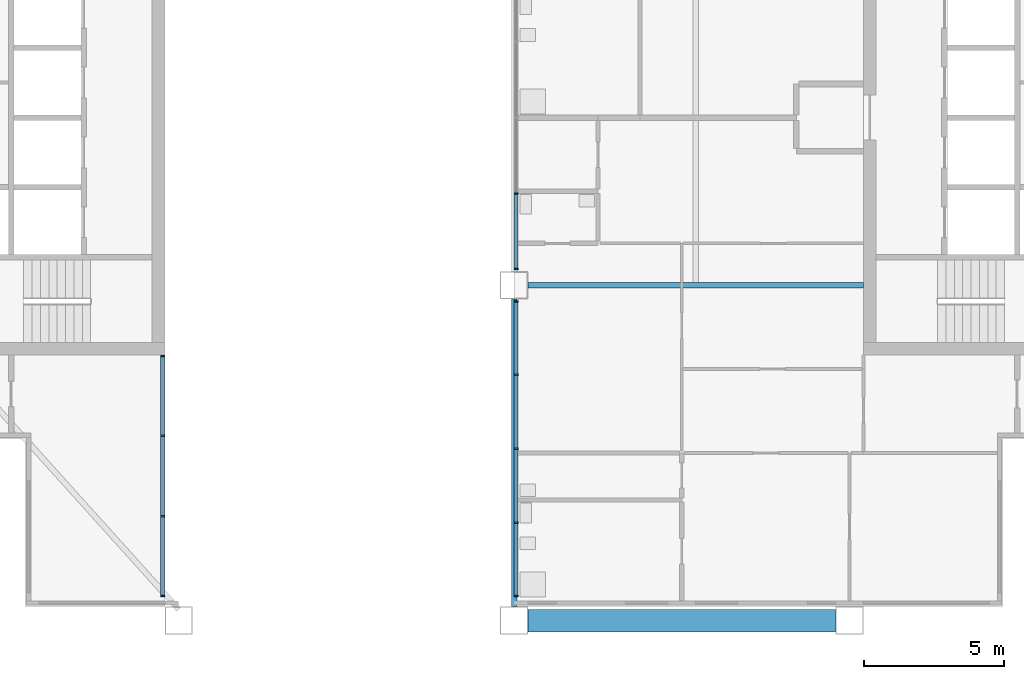
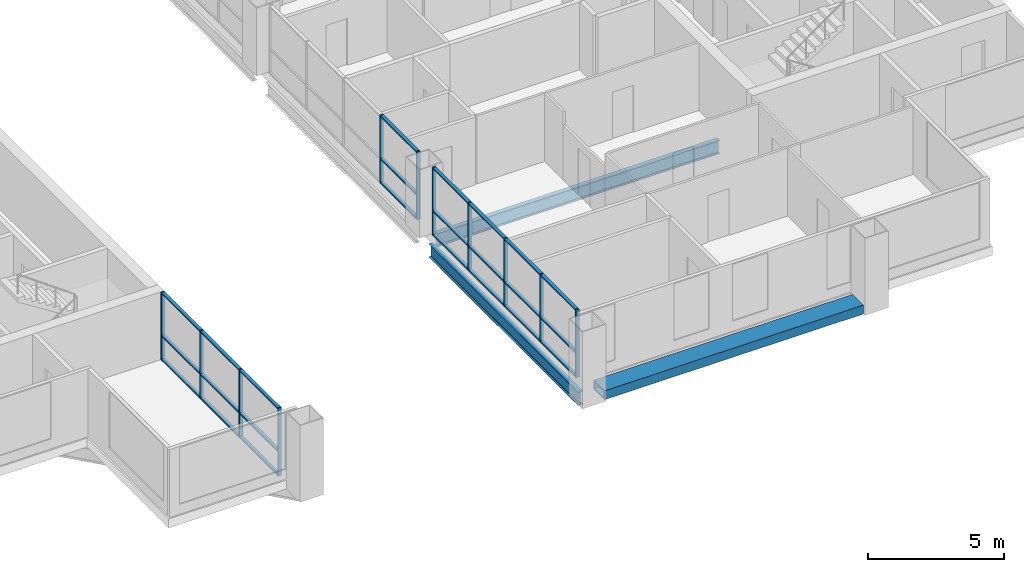
# One storey, part 2 of 13: 35 members, 3 beams, 3 elements without a shape of their own.
"""IFC4 building model written with IfcOpenShell, lengths in metres."""

import ifcopenshell
import ifcopenshell.guid

model = None  # the IFC model being written
_history = None  # IfcOwnerHistory: only IFC2X3 demands one
_inside = {}  # id of a spatial element -> (the spatial element, [elements in it])
_under = {}  # id of a project, library or spatial element -> (it, [spatial elements below it])
_declared = {}  # id of a project -> (the project, [libraries it declares])
_typed = {}  # id of a type object -> (the type object, [elements of that type])
_made_of = {}  # id of a material, layer set ... -> (it, [elements and type objects made of it])


def new_model(schema):
    """Start an empty IFC model of exactly this schema.

    Asked for "IFC4X3", IfcOpenShell would pick the latest addendum, in which some entities
    have other attributes; the version numbers below select the first issue.
    IFC2X3 requires an IfcOwnerHistory on every rooted entity: one is made here for all.
    """
    global model, _history
    if schema == "IFC4X3":
        model = ifcopenshell.file(schema_version=(4, 3, 0, 0))
    else:
        model = ifcopenshell.file(schema=schema)
    _inside.clear()
    _under.clear()
    _declared.clear()
    _typed.clear()
    _made_of.clear()
    _history = None
    if model.schema == "IFC2X3":
        org = make("IfcOrganization", Name="unknown")
        user = make(
            "IfcPersonAndOrganization",
            ThePerson=make("IfcPerson", FamilyName="unknown"),
            TheOrganization=org,
        )
        app = make(
            "IfcApplication",
            ApplicationDeveloper=org,
            Version="unknown",
            ApplicationFullName="unknown",
            ApplicationIdentifier="unknown",
        )
        _history = make(
            "IfcOwnerHistory",
            OwningUser=user,
            OwningApplication=app,
            ChangeAction="ADDED",
            CreationDate=0,
        )
    return model


def make(cls, **values):
    """One entity of the class cls with the attributes given. An attribute that is None is left unset."""
    return model.create_entity(
        cls, **{name: value for name, value in values.items() if value is not None}
    )


def rooted(cls, **values):
    """An entity with a GlobalId (a new one), such as an element, a storey or a relation."""
    return make(cls, GlobalId=ifcopenshell.guid.new(), OwnerHistory=_history, **values)


def si_unit(unit_type, name, prefix=None):
    """IfcSIUnit, for example si_unit("LENGTHUNIT", "METRE", prefix="MILLI")."""
    return make("IfcSIUnit", UnitType=unit_type, Prefix=prefix, Name=name)


def assignment(units):
    """IfcUnitAssignment: the units of a project."""
    return None if units is None else make("IfcUnitAssignment", Units=units)


def point(xyz):
    """IfcCartesianPoint."""
    return None if xyz is None else make("IfcCartesianPoint", Coordinates=xyz)


def direction(xyz):
    """IfcDirection."""
    return None if xyz is None else make("IfcDirection", DirectionRatios=xyz)


def frame(location, z_axis=None, x_axis=None):
    """IfcAxis2Placement3D, a coordinate frame: its origin and axes. An axis left out is left unset."""
    return make(
        "IfcAxis2Placement3D",
        Location=point(location),
        Axis=direction(z_axis),
        RefDirection=direction(x_axis),
    )


def frame_2d(location, x_axis=None):
    """IfcAxis2Placement2D, a coordinate frame in the plane: its origin and x axis."""
    return make(
        "IfcAxis2Placement2D", Location=point(location), RefDirection=direction(x_axis)
    )


def origin():
    """The frame at (0, 0, 0) with its axes left unset."""
    return frame((0.0, 0.0, 0.0))


def origin_2d():
    """The frame at (0, 0) in the plane with its x axis left unset."""
    return frame_2d((0.0, 0.0))


def place(relative_to, where):
    """IfcLocalPlacement: puts the frame where relative to a parent placement (None: the world)."""
    return make(
        "IfcLocalPlacement", PlacementRelTo=relative_to, RelativePlacement=where
    )


def context(
    kind, dimensions, precision=None, world=None, true_north=None, identifier=None
):
    """IfcGeometricRepresentationContext, for example the 3D "Model" context."""
    return make(
        "IfcGeometricRepresentationContext",
        ContextIdentifier=identifier,
        ContextType=kind,
        CoordinateSpaceDimension=dimensions,
        Precision=precision,
        WorldCoordinateSystem=world,
        TrueNorth=true_north,
    )


def subcontext(parent, identifier, kind, view, scale=None):
    """IfcGeometricRepresentationSubContext, for example "Body" below "Model"."""
    return make(
        "IfcGeometricRepresentationSubContext",
        ContextIdentifier=identifier,
        ContextType=kind,
        ParentContext=parent,
        TargetScale=scale,
        TargetView=view,
    )


def project(units=None, contexts=None):
    """IfcProject with its units and contexts."""
    return rooted(
        "IfcProject",
        Name="project",
        RepresentationContexts=contexts,
        UnitsInContext=assignment(units),
    )


def spatial(cls, under=None, at=None, **own):
    """A site, building, storey or space (cls), placed at a placement, below another one or the project."""
    s = rooted(cls, ObjectPlacement=at, **own)
    if under is not None:
        _under.setdefault(under.id(), (under, []))[1].append(s)
    return s


def profile(cls, at=None, kind="AREA", **sizes):
    """A parametric profile (cls). Its sizes go by their IFC names, for example OverallWidth=200.0."""
    return make(cls, ProfileType=kind, Position=at, **sizes)


def rectangle(**sizes):
    """IfcRectangleProfileDef."""
    return profile("IfcRectangleProfileDef", **sizes)


def hollow_rectangle(**sizes):
    """IfcRectangleHollowProfileDef."""
    return profile("IfcRectangleHollowProfileDef", **sizes)


def i_section(**sizes):
    """IfcIShapeProfileDef."""
    return profile("IfcIShapeProfileDef", **sizes)


def extrude(swept, where, along, depth):
    """IfcExtrudedAreaSolid: the profile swept, set in the frame where, extruded along a direction by depth."""
    return make(
        "IfcExtrudedAreaSolid",
        SweptArea=swept,
        Position=where,
        ExtrudedDirection=direction(along),
        Depth=depth,
    )


def shape(context_of_items, identifier, shape_type, items):
    """IfcShapeRepresentation: the items that make up one representation, for example the "Body"."""
    return make(
        "IfcShapeRepresentation",
        ContextOfItems=context_of_items,
        RepresentationIdentifier=identifier,
        RepresentationType=shape_type,
        Items=items,
    )


def material(Name=None, Category=None):
    """IfcMaterial."""
    return make("IfcMaterial", Name=Name, Category=Category)


def material_profile(
    of_material, cross_section, Name=None, Category=None, Priority=None
):
    """IfcMaterialProfile: a cross section and its material."""
    return make(
        "IfcMaterialProfile",
        Name=Name,
        Material=of_material,
        Profile=cross_section,
        Priority=Priority,
        Category=Category,
    )


def profile_set(profiles, Name=None, composite=None):
    """IfcMaterialProfileSet."""
    return make(
        "IfcMaterialProfileSet",
        Name=Name,
        MaterialProfiles=profiles,
        CompositeProfile=composite,
    )


def made_of(thing, what):
    """Note that an element or type object is made of a material, layer set ...; save() writes the relation."""
    if what is not None:
        _made_of.setdefault(what.id(), (what, []))[1].append(thing)
    return thing


def type_object(cls, material=None, **own):
    """A type object (cls), such as IfcWallType, which elements share."""
    return made_of(rooted(cls, **own), material)


def element(
    cls,
    number,
    at=None,
    inside=None,
    cuts=None,
    type_object=None,
    material=None,
    context=None,
    identifier="Body",
    shape_type=None,
    held_by="IfcProductDefinitionShape",
    body=None,
    shapes=None,
    **own,
):
    """One element of the class cls, such as IfcWall. Its Tag is "e" and its number.

    at: its placement. inside: the storey or other place that contains it. cuts: it is an
    opening in that element (IfcRelVoidsElement). A single representation is given by context,
    identifier, shape_type and body (its items); several are given by shapes. held_by: the class
    of the entity that holds the representations. save() writes the other relations.
    """
    e = rooted(cls, Tag="e%d" % number, ObjectPlacement=at, **own)
    if body is not None:
        shapes = [shape(context, identifier, shape_type, body)]
    if shapes is not None:
        e.Representation = make(held_by, Representations=shapes)
    if inside is not None:
        _inside.setdefault(inside.id(), (inside, []))[1].append(e)
    if cuts is not None:
        rooted(
            "IfcRelVoidsElement", RelatingBuildingElement=cuts, RelatedOpeningElement=e
        )
    if type_object is not None:
        _typed.setdefault(type_object.id(), (type_object, []))[1].append(e)
    return made_of(e, material)


def aggregate(whole, parts):
    """IfcRelAggregates: a whole, such as a stair, and the parts it consists of."""
    return rooted("IfcRelAggregates", RelatingObject=whole, RelatedObjects=parts)


def save(model, path):
    """Write the relations noted so far, then the file.

    IfcRelAggregates (storeys below a building ...), IfcRelContainedInSpatialStructure (elements
    in a storey), IfcRelDefinesByType, IfcRelAssociatesMaterial and IfcRelDeclares: one each for
    every whole, place, type object, material and project.
    """
    for whole, parts in _under.values():
        aggregate(whole, parts)
    for where, things in _inside.values():
        rooted(
            "IfcRelContainedInSpatialStructure",
            RelatedElements=things,
            RelatingStructure=where,
        )
    for kind, things in _typed.values():
        rooted("IfcRelDefinesByType", RelatedObjects=things, RelatingType=kind)
    for what, things in _made_of.values():
        rooted("IfcRelAssociatesMaterial", RelatedObjects=things, RelatingMaterial=what)
    for by, libraries in _declared.values():
        rooted("IfcRelDeclares", RelatingContext=by, RelatedDefinitions=libraries)
    model.write(path)


model = new_model("IFC4")

# Units and contexts
model_context = context("Model", 3, precision=1e-05, world=origin(), true_north=direction((0.0, 1.0)))
body_context = subcontext(model_context, "Body", "Model", "MODEL_VIEW")
ifc_project = project(units=[si_unit("LENGTHUNIT", "METRE"), si_unit("AREAUNIT", "SQUARE_METRE"), si_unit("VOLUMEUNIT", "CUBIC_METRE"), si_unit("PLANEANGLEUNIT", "RADIAN"), si_unit("MASSUNIT", "GRAM", prefix="KILO")], contexts=[model_context])

# Site, building, storey
site_placement = place(None, origin())
site = spatial("IfcSite", under=ifc_project, at=site_placement, CompositionType="ELEMENT")
building_placement = place(site_placement, origin())
building = spatial("IfcBuilding", under=site, at=building_placement, Name="Kitamizu Gate Tower and Museum", CompositionType="ELEMENT")
storey_placement = place(building_placement, frame((0.0, 0.0, 252.449951171875)))
storey = spatial("IfcBuildingStorey", under=building, at=storey_placement, Name="L68", CompositionType="ELEMENT", Elevation=252.449951171875)

# Beams
ifc_material_1 = material(Name="Steel SM490A bronze coated", Category="steel")
ifc_material_profile_1 = material_profile(ifc_material_1, hollow_rectangle(XDim=0.800048828125, YDim=0.39990234375, WallThickness=0.0400390625, at=origin_2d()), Name="BOX 800x400x40")
ifc_profile_set_1 = profile_set([ifc_material_profile_1], Name="Steel SM490A bronze coated")
beam_type_1 = type_object("IfcBeamType", Name="Exoskeleton spandrel beam SB1 BOX 800x400x40", PredefinedType="SPANDREL", material=ifc_profile_set_1)
beam_1_placement = place(storey_placement, frame((36.5, 12.0, -0.199951171875), z_axis=(1.0, 0.0, 0.0), x_axis=(0.0, 1.0, 0.0)))
element("IfcBeam", 1, at=beam_1_placement, inside=storey, type_object=beam_type_1, Name="Exoskeleton spandrel beam south 36 L68", PredefinedType="SPANDREL", context=body_context, shape_type="SweptSolid", body=[
    extrude(hollow_rectangle(XDim=0.800048828125, YDim=0.39990234375, WallThickness=0.0400390625, at=origin_2d()), origin(), (0.0, 0.0, 1.0), 11.0),
])
ifc_material_2 = material(Name="Steel SM490A", Category="steel")
ifc_material_profile_2 = material_profile(ifc_material_2, i_section(OverallWidth=0.199951171875, OverallDepth=0.60009765625, WebThickness=0.010986328125, FlangeThickness=0.01708984375, FilletRadius=0.02197265625, at=origin_2d()), Name="H-600x200x11x17")
ifc_profile_set_2 = profile_set([ifc_material_profile_2], Name="Steel SM490A")
beam_type_2 = type_object("IfcBeamType", Name="Floor girder FG1 H 600x200x11x17", PredefinedType="BEAM", material=ifc_profile_set_2)
beam_2_placement = place(storey_placement, frame((36.0, 12.5, -0.699951171875), z_axis=(0.0, 1.0, 0.0), x_axis=(-1.0, 0.0, 0.0)))
element("IfcBeam", 2, at=beam_2_placement, inside=storey, type_object=beam_type_2, Name="Floor girder FG1 x36 L68", PredefinedType="BEAM", context=body_context, shape_type="SweptSolid", body=[
    extrude(i_section(OverallWidth=0.199951171875, OverallDepth=0.60009765625, WebThickness=0.010986328125, FlangeThickness=0.01708984375, FilletRadius=0.02197265625, at=origin_2d()), origin(), (0.0, 0.0, 1.0), 11.0),
])
beam_3_placement = place(storey_placement, frame((36.5, 24.0, -0.699951171875), z_axis=(1.0, 0.0, 0.0), x_axis=(0.0, 1.0, 0.0)))
element("IfcBeam", 3, at=beam_3_placement, inside=storey, type_object=beam_type_2, Name="Floor girder FG1 y24 L68", PredefinedType="BEAM", context=body_context, shape_type="SweptSolid", body=[
    extrude(i_section(OverallWidth=0.199951171875, OverallDepth=0.60009765625, WebThickness=0.010986328125, FlangeThickness=0.01708984375, FilletRadius=0.02197265625, at=origin_2d()), origin(), (0.0, 0.0, 1.0), 12.0),
])

# Curtain wall, members
ifc_material_3 = material(Name="Bronze anodised aluminium frame, tinted triple glazing", Category="aluminium")
curtain_wall_type = type_object("IfcCurtainWallType", Name="CURTAIN WALL TYPE C SKY AMENITY", PredefinedType="NOTDEFINED", material=ifc_material_3)
curtain_wall_1_placement = place(storey_placement, origin())
curtain_wall_1 = element("IfcCurtainWall", 4, at=curtain_wall_1_placement, inside=storey, type_object=curtain_wall_type, Name="Curtain wall CW-C portal W L68", PredefinedType="NOTDEFINED")
ifc_material_4 = material(Name="Bronze anodised aluminium", Category="aluminium")
ifc_material_profile_3 = material_profile(ifc_material_4, rectangle(XDim=0.06005859375, YDim=0.14990234375, at=origin_2d()), Name="AL 60X150")
ifc_profile_set_3 = profile_set([ifc_material_profile_3], Name="Bronze anodised aluminium")
member_type_1 = type_object("IfcMemberType", Name="MULLION 60 X 150 TYPE C", PredefinedType="MULLION", material=ifc_profile_set_3)
member_1_placement = place(storey_placement, frame((23.425048828125, 12.8798828125, 0.0), z_axis=(0.0, 0.0, 1.0), x_axis=(0.0, 1.0, 0.0)))
member_1 = element("IfcMember", 5, at=member_1_placement, type_object=member_type_1, Name="CW-C mullion 1", PredefinedType="MULLION", context=body_context, shape_type="SweptSolid", body=[
    extrude(rectangle(XDim=0.06005859375, YDim=0.14990234375, at=origin_2d()), origin(), (0.0, 0.0, 1.0), 3.050048828125),
])
member_2_placement = place(storey_placement, frame((23.425048828125, 15.7333984375, 0.0), z_axis=(0.0, 0.0, 1.0), x_axis=(0.0, 1.0, 0.0)))
member_2 = element("IfcMember", 6, at=member_2_placement, type_object=member_type_1, Name="CW-C mullion 2", PredefinedType="MULLION", context=body_context, shape_type="SweptSolid", body=[
    extrude(rectangle(XDim=0.06005859375, YDim=0.14990234375, at=origin_2d()), origin(), (0.0, 0.0, 1.0), 3.050048828125),
])
member_3_placement = place(storey_placement, frame((23.425048828125, 18.61669921875, 0.0), z_axis=(0.0, 0.0, 1.0), x_axis=(0.0, 1.0, 0.0)))
member_3 = element("IfcMember", 7, at=member_3_placement, type_object=member_type_1, Name="CW-C mullion 3", PredefinedType="MULLION", context=body_context, shape_type="SweptSolid", body=[
    extrude(rectangle(XDim=0.06005859375, YDim=0.14990234375, at=origin_2d()), origin(), (0.0, 0.0, 1.0), 3.050048828125),
])
member_4_placement = place(storey_placement, frame((23.425048828125, 21.469970703125, 0.0), z_axis=(0.0, 0.0, 1.0), x_axis=(0.0, 1.0, 0.0)))
member_4 = element("IfcMember", 8, at=member_4_placement, type_object=member_type_1, Name="CW-C mullion 4", PredefinedType="MULLION", context=body_context, shape_type="SweptSolid", body=[
    extrude(rectangle(XDim=0.06005859375, YDim=0.14990234375, at=origin_2d()), origin(), (0.0, 0.0, 1.0), 3.050048828125),
])

curtain_wall_2_placement = place(storey_placement, origin())
curtain_wall_2 = element("IfcCurtainWall", 9, at=curtain_wall_2_placement, inside=storey, type_object=curtain_wall_type, Name="Curtain wall CW-C portal E L68", PredefinedType="NOTDEFINED")
member_5_placement = place(storey_placement, frame((36.074951171875, 12.8798828125, 0.0), z_axis=(0.0, 0.0, 1.0), x_axis=(0.0, 1.0, 0.0)))
member_5 = element("IfcMember", 10, at=member_5_placement, type_object=member_type_1, Name="CW-C mullion 1", PredefinedType="MULLION", context=body_context, shape_type="SweptSolid", body=[
    extrude(rectangle(XDim=0.06005859375, YDim=0.14990234375, at=origin_2d()), origin(), (0.0, 0.0, 1.0), 3.050048828125),
])
member_6_placement = place(storey_placement, frame((36.074951171875, 15.498779296875, 0.0), z_axis=(0.0, 0.0, 1.0), x_axis=(0.0, 1.0, 0.0)))
member_6 = element("IfcMember", 11, at=member_6_placement, type_object=member_type_1, Name="CW-C mullion 2", PredefinedType="MULLION", context=body_context, shape_type="SweptSolid", body=[
    extrude(rectangle(XDim=0.06005859375, YDim=0.14990234375, at=origin_2d()), origin(), (0.0, 0.0, 1.0), 3.050048828125),
])
member_7_placement = place(storey_placement, frame((36.074951171875, 18.1474609375, 0.0), z_axis=(0.0, 0.0, 1.0), x_axis=(0.0, 1.0, 0.0)))
member_7 = element("IfcMember", 12, at=member_7_placement, type_object=member_type_1, Name="CW-C mullion 3", PredefinedType="MULLION", context=body_context, shape_type="SweptSolid", body=[
    extrude(rectangle(XDim=0.06005859375, YDim=0.14990234375, at=origin_2d()), origin(), (0.0, 0.0, 1.0), 3.050048828125),
])
member_8_placement = place(storey_placement, frame((36.074951171875, 20.796142578125, 0.0), z_axis=(0.0, 0.0, 1.0), x_axis=(0.0, 1.0, 0.0)))
member_8 = element("IfcMember", 13, at=member_8_placement, type_object=member_type_1, Name="CW-C mullion 4", PredefinedType="MULLION", context=body_context, shape_type="SweptSolid", body=[
    extrude(rectangle(XDim=0.06005859375, YDim=0.14990234375, at=origin_2d()), origin(), (0.0, 0.0, 1.0), 3.050048828125),
])
member_9_placement = place(storey_placement, frame((36.074951171875, 23.4150390625, 0.0), z_axis=(0.0, 0.0, 1.0), x_axis=(0.0, 1.0, 0.0)))
member_9 = element("IfcMember", 14, at=member_9_placement, type_object=member_type_1, Name="CW-C mullion 5", PredefinedType="MULLION", context=body_context, shape_type="SweptSolid", body=[
    extrude(rectangle(XDim=0.06005859375, YDim=0.14990234375, at=origin_2d()), origin(), (0.0, 0.0, 1.0), 3.050048828125),
])

curtain_wall_3_placement = place(storey_placement, origin())
curtain_wall_3 = element("IfcCurtainWall", 15, at=curtain_wall_3_placement, inside=storey, type_object=curtain_wall_type, Name="Curtain wall CW-C portal E L68", PredefinedType="NOTDEFINED")
member_10_placement = place(storey_placement, frame((36.074951171875, 24.5849609375, 0.0), z_axis=(0.0, 0.0, 1.0), x_axis=(0.0, 1.0, 0.0)))
member_10 = element("IfcMember", 16, at=member_10_placement, type_object=member_type_1, Name="CW-C mullion 1", PredefinedType="MULLION", context=body_context, shape_type="SweptSolid", body=[
    extrude(rectangle(XDim=0.06005859375, YDim=0.14990234375, at=origin_2d()), origin(), (0.0, 0.0, 1.0), 3.050048828125),
])
member_11_placement = place(storey_placement, frame((36.074951171875, 27.277587890625, 0.0), z_axis=(0.0, 0.0, 1.0), x_axis=(0.0, 1.0, 0.0)))
member_11 = element("IfcMember", 17, at=member_11_placement, type_object=member_type_1, Name="CW-C mullion 2", PredefinedType="MULLION", context=body_context, shape_type="SweptSolid", body=[
    extrude(rectangle(XDim=0.06005859375, YDim=0.14990234375, at=origin_2d()), origin(), (0.0, 0.0, 1.0), 3.050048828125),
])

# Member
ifc_material_5 = material(Name="Bronze anodised aluminium", Category="aluminium")
ifc_material_profile_4 = material_profile(ifc_material_5, rectangle(XDim=0.139892578125, YDim=0.06005859375, at=origin_2d()), Name="AL 60X140")
ifc_profile_set_4 = profile_set([ifc_material_profile_4], Name="Bronze anodised aluminium")
member_type_2 = type_object("IfcMemberType", Name="TRANSOM 60 X 140 TYPE C", PredefinedType="USERDEFINED", material=ifc_profile_set_4)
member_12_placement = place(storey_placement, frame((23.425048828125, 12.909912109375, 0.030029296875), z_axis=(0.0, 1.0, 0.0), x_axis=(-1.0, 0.0, 0.0)))
member_12 = element("IfcMember", 18, at=member_12_placement, type_object=member_type_2, Name="CW-C transom 1.1", ObjectType="TRANSOM", PredefinedType="USERDEFINED", context=body_context, shape_type="SweptSolid", body=[
    extrude(rectangle(XDim=0.139892578125, YDim=0.06005859375, at=origin_2d()), origin(), (0.0, 0.0, 1.0), 2.79345703125),
])

member_13_placement = place(storey_placement, frame((23.425048828125, 12.909912109375, 1.10009765625), z_axis=(0.0, 1.0, 0.0), x_axis=(-1.0, 0.0, 0.0)))
member_13 = element("IfcMember", 19, at=member_13_placement, type_object=member_type_2, Name="CW-C transom 1.2", ObjectType="TRANSOM", PredefinedType="USERDEFINED", context=body_context, shape_type="SweptSolid", body=[
    extrude(rectangle(XDim=0.139892578125, YDim=0.06005859375, at=origin_2d()), origin(), (0.0, 0.0, 1.0), 2.79345703125),
])

member_14_placement = place(storey_placement, frame((23.425048828125, 12.909912109375, 3.02001953125), z_axis=(0.0, 1.0, 0.0), x_axis=(-1.0, 0.0, 0.0)))
member_14 = element("IfcMember", 20, at=member_14_placement, type_object=member_type_2, Name="CW-C transom 1.3", ObjectType="TRANSOM", PredefinedType="USERDEFINED", context=body_context, shape_type="SweptSolid", body=[
    extrude(rectangle(XDim=0.139892578125, YDim=0.06005859375, at=origin_2d()), origin(), (0.0, 0.0, 1.0), 2.79345703125),
])

member_15_placement = place(storey_placement, frame((23.425048828125, 15.763427734375, 0.030029296875), z_axis=(0.0, 1.0, 0.0), x_axis=(-1.0, 0.0, 0.0)))
member_15 = element("IfcMember", 21, at=member_15_placement, type_object=member_type_2, Name="CW-C transom 2.1", ObjectType="TRANSOM", PredefinedType="USERDEFINED", context=body_context, shape_type="SweptSolid", body=[
    extrude(rectangle(XDim=0.139892578125, YDim=0.06005859375, at=origin_2d()), origin(), (0.0, 0.0, 1.0), 2.8232421875),
])

member_16_placement = place(storey_placement, frame((23.425048828125, 15.763427734375, 1.10009765625), z_axis=(0.0, 1.0, 0.0), x_axis=(-1.0, 0.0, 0.0)))
member_16 = element("IfcMember", 22, at=member_16_placement, type_object=member_type_2, Name="CW-C transom 2.2", ObjectType="TRANSOM", PredefinedType="USERDEFINED", context=body_context, shape_type="SweptSolid", body=[
    extrude(rectangle(XDim=0.139892578125, YDim=0.06005859375, at=origin_2d()), origin(), (0.0, 0.0, 1.0), 2.8232421875),
])

member_17_placement = place(storey_placement, frame((23.425048828125, 15.763427734375, 3.02001953125), z_axis=(0.0, 1.0, 0.0), x_axis=(-1.0, 0.0, 0.0)))
member_17 = element("IfcMember", 23, at=member_17_placement, type_object=member_type_2, Name="CW-C transom 2.3", ObjectType="TRANSOM", PredefinedType="USERDEFINED", context=body_context, shape_type="SweptSolid", body=[
    extrude(rectangle(XDim=0.139892578125, YDim=0.06005859375, at=origin_2d()), origin(), (0.0, 0.0, 1.0), 2.8232421875),
])

member_18_placement = place(storey_placement, frame((23.425048828125, 18.646728515625, 0.030029296875), z_axis=(0.0, 1.0, 0.0), x_axis=(-1.0, 0.0, 0.0)))
member_18 = element("IfcMember", 24, at=member_18_placement, type_object=member_type_2, Name="CW-C transom 3.1", ObjectType="TRANSOM", PredefinedType="USERDEFINED", context=body_context, shape_type="SweptSolid", body=[
    extrude(rectangle(XDim=0.139892578125, YDim=0.06005859375, at=origin_2d()), origin(), (0.0, 0.0, 1.0), 2.793212890625),
])

member_19_placement = place(storey_placement, frame((23.425048828125, 18.646728515625, 1.10009765625), z_axis=(0.0, 1.0, 0.0), x_axis=(-1.0, 0.0, 0.0)))
member_19 = element("IfcMember", 25, at=member_19_placement, type_object=member_type_2, Name="CW-C transom 3.2", ObjectType="TRANSOM", PredefinedType="USERDEFINED", context=body_context, shape_type="SweptSolid", body=[
    extrude(rectangle(XDim=0.139892578125, YDim=0.06005859375, at=origin_2d()), origin(), (0.0, 0.0, 1.0), 2.793212890625),
])

member_20_placement = place(storey_placement, frame((23.425048828125, 18.646728515625, 3.02001953125), z_axis=(0.0, 1.0, 0.0), x_axis=(-1.0, 0.0, 0.0)))
member_20 = element("IfcMember", 26, at=member_20_placement, type_object=member_type_2, Name="CW-C transom 3.3", ObjectType="TRANSOM", PredefinedType="USERDEFINED", context=body_context, shape_type="SweptSolid", body=[
    extrude(rectangle(XDim=0.139892578125, YDim=0.06005859375, at=origin_2d()), origin(), (0.0, 0.0, 1.0), 2.793212890625),
])

aggregate(curtain_wall_1, [member_1, member_2, member_3, member_4, member_12, member_13, member_14, member_15, member_16, member_17, member_18, member_19, member_20])

member_21_placement = place(storey_placement, frame((36.074951171875, 12.909912109375, 0.030029296875), z_axis=(0.0, 1.0, 0.0), x_axis=(-1.0, 0.0, 0.0)))
member_21 = element("IfcMember", 27, at=member_21_placement, type_object=member_type_2, Name="CW-C transom 1.1", ObjectType="TRANSOM", PredefinedType="USERDEFINED", context=body_context, shape_type="SweptSolid", body=[
    extrude(rectangle(XDim=0.139892578125, YDim=0.06005859375, at=origin_2d()), origin(), (0.0, 0.0, 1.0), 2.558837890625),
])

member_22_placement = place(storey_placement, frame((36.074951171875, 12.909912109375, 1.10009765625), z_axis=(0.0, 1.0, 0.0), x_axis=(-1.0, 0.0, 0.0)))
member_22 = element("IfcMember", 28, at=member_22_placement, type_object=member_type_2, Name="CW-C transom 1.2", ObjectType="TRANSOM", PredefinedType="USERDEFINED", context=body_context, shape_type="SweptSolid", body=[
    extrude(rectangle(XDim=0.139892578125, YDim=0.06005859375, at=origin_2d()), origin(), (0.0, 0.0, 1.0), 2.558837890625),
])

member_23_placement = place(storey_placement, frame((36.074951171875, 12.909912109375, 3.02001953125), z_axis=(0.0, 1.0, 0.0), x_axis=(-1.0, 0.0, 0.0)))
member_23 = element("IfcMember", 29, at=member_23_placement, type_object=member_type_2, Name="CW-C transom 1.3", ObjectType="TRANSOM", PredefinedType="USERDEFINED", context=body_context, shape_type="SweptSolid", body=[
    extrude(rectangle(XDim=0.139892578125, YDim=0.06005859375, at=origin_2d()), origin(), (0.0, 0.0, 1.0), 2.558837890625),
])

member_24_placement = place(storey_placement, frame((36.074951171875, 15.52880859375, 0.030029296875), z_axis=(0.0, 1.0, 0.0), x_axis=(-1.0, 0.0, 0.0)))
member_24 = element("IfcMember", 30, at=member_24_placement, type_object=member_type_2, Name="CW-C transom 2.1", ObjectType="TRANSOM", PredefinedType="USERDEFINED", context=body_context, shape_type="SweptSolid", body=[
    extrude(rectangle(XDim=0.139892578125, YDim=0.06005859375, at=origin_2d()), origin(), (0.0, 0.0, 1.0), 2.588623046875),
])

member_25_placement = place(storey_placement, frame((36.074951171875, 15.52880859375, 1.10009765625), z_axis=(0.0, 1.0, 0.0), x_axis=(-1.0, 0.0, 0.0)))
member_25 = element("IfcMember", 31, at=member_25_placement, type_object=member_type_2, Name="CW-C transom 2.2", ObjectType="TRANSOM", PredefinedType="USERDEFINED", context=body_context, shape_type="SweptSolid", body=[
    extrude(rectangle(XDim=0.139892578125, YDim=0.06005859375, at=origin_2d()), origin(), (0.0, 0.0, 1.0), 2.588623046875),
])

member_26_placement = place(storey_placement, frame((36.074951171875, 15.52880859375, 3.02001953125), z_axis=(0.0, 1.0, 0.0), x_axis=(-1.0, 0.0, 0.0)))
member_26 = element("IfcMember", 32, at=member_26_placement, type_object=member_type_2, Name="CW-C transom 2.3", ObjectType="TRANSOM", PredefinedType="USERDEFINED", context=body_context, shape_type="SweptSolid", body=[
    extrude(rectangle(XDim=0.139892578125, YDim=0.06005859375, at=origin_2d()), origin(), (0.0, 0.0, 1.0), 2.588623046875),
])

member_27_placement = place(storey_placement, frame((36.074951171875, 18.177490234375, 0.030029296875), z_axis=(0.0, 1.0, 0.0), x_axis=(-1.0, 0.0, 0.0)))
member_27 = element("IfcMember", 33, at=member_27_placement, type_object=member_type_2, Name="CW-C transom 3.1", ObjectType="TRANSOM", PredefinedType="USERDEFINED", context=body_context, shape_type="SweptSolid", body=[
    extrude(rectangle(XDim=0.139892578125, YDim=0.06005859375, at=origin_2d()), origin(), (0.0, 0.0, 1.0), 2.5888671875),
])

member_28_placement = place(storey_placement, frame((36.074951171875, 18.177490234375, 1.10009765625), z_axis=(0.0, 1.0, 0.0), x_axis=(-1.0, 0.0, 0.0)))
member_28 = element("IfcMember", 34, at=member_28_placement, type_object=member_type_2, Name="CW-C transom 3.2", ObjectType="TRANSOM", PredefinedType="USERDEFINED", context=body_context, shape_type="SweptSolid", body=[
    extrude(rectangle(XDim=0.139892578125, YDim=0.06005859375, at=origin_2d()), origin(), (0.0, 0.0, 1.0), 2.5888671875),
])

member_29_placement = place(storey_placement, frame((36.074951171875, 18.177490234375, 3.02001953125), z_axis=(0.0, 1.0, 0.0), x_axis=(-1.0, 0.0, 0.0)))
member_29 = element("IfcMember", 35, at=member_29_placement, type_object=member_type_2, Name="CW-C transom 3.3", ObjectType="TRANSOM", PredefinedType="USERDEFINED", context=body_context, shape_type="SweptSolid", body=[
    extrude(rectangle(XDim=0.139892578125, YDim=0.06005859375, at=origin_2d()), origin(), (0.0, 0.0, 1.0), 2.5888671875),
])

member_30_placement = place(storey_placement, frame((36.074951171875, 20.826171875, 0.030029296875), z_axis=(0.0, 1.0, 0.0), x_axis=(-1.0, 0.0, 0.0)))
member_30 = element("IfcMember", 36, at=member_30_placement, type_object=member_type_2, Name="CW-C transom 4.1", ObjectType="TRANSOM", PredefinedType="USERDEFINED", context=body_context, shape_type="SweptSolid", body=[
    extrude(rectangle(XDim=0.139892578125, YDim=0.06005859375, at=origin_2d()), origin(), (0.0, 0.0, 1.0), 2.558837890625),
])

member_31_placement = place(storey_placement, frame((36.074951171875, 20.826171875, 1.10009765625), z_axis=(0.0, 1.0, 0.0), x_axis=(-1.0, 0.0, 0.0)))
member_31 = element("IfcMember", 37, at=member_31_placement, type_object=member_type_2, Name="CW-C transom 4.2", ObjectType="TRANSOM", PredefinedType="USERDEFINED", context=body_context, shape_type="SweptSolid", body=[
    extrude(rectangle(XDim=0.139892578125, YDim=0.06005859375, at=origin_2d()), origin(), (0.0, 0.0, 1.0), 2.558837890625),
])

member_32_placement = place(storey_placement, frame((36.074951171875, 20.826171875, 3.02001953125), z_axis=(0.0, 1.0, 0.0), x_axis=(-1.0, 0.0, 0.0)))
member_32 = element("IfcMember", 38, at=member_32_placement, type_object=member_type_2, Name="CW-C transom 4.3", ObjectType="TRANSOM", PredefinedType="USERDEFINED", context=body_context, shape_type="SweptSolid", body=[
    extrude(rectangle(XDim=0.139892578125, YDim=0.06005859375, at=origin_2d()), origin(), (0.0, 0.0, 1.0), 2.558837890625),
])

aggregate(curtain_wall_2, [member_5, member_6, member_7, member_8, member_9, member_21, member_22, member_23, member_24, member_25, member_26, member_27, member_28, member_29, member_30, member_31, member_32])

member_33_placement = place(storey_placement, frame((36.074951171875, 24.614990234375, 0.030029296875), z_axis=(0.0, 1.0, 0.0), x_axis=(-1.0, 0.0, 0.0)))
member_33 = element("IfcMember", 39, at=member_33_placement, type_object=member_type_2, Name="CW-C transom 1.1", ObjectType="TRANSOM", PredefinedType="USERDEFINED", context=body_context, shape_type="SweptSolid", body=[
    extrude(rectangle(XDim=0.139892578125, YDim=0.06005859375, at=origin_2d()), origin(), (0.0, 0.0, 1.0), 2.632568359375),
])

member_34_placement = place(storey_placement, frame((36.074951171875, 24.614990234375, 1.10009765625), z_axis=(0.0, 1.0, 0.0), x_axis=(-1.0, 0.0, 0.0)))
member_34 = element("IfcMember", 40, at=member_34_placement, type_object=member_type_2, Name="CW-C transom 1.2", ObjectType="TRANSOM", PredefinedType="USERDEFINED", context=body_context, shape_type="SweptSolid", body=[
    extrude(rectangle(XDim=0.139892578125, YDim=0.06005859375, at=origin_2d()), origin(), (0.0, 0.0, 1.0), 2.632568359375),
])

member_35_placement = place(storey_placement, frame((36.074951171875, 24.614990234375, 3.02001953125), z_axis=(0.0, 1.0, 0.0), x_axis=(-1.0, 0.0, 0.0)))
member_35 = element("IfcMember", 41, at=member_35_placement, type_object=member_type_2, Name="CW-C transom 1.3", ObjectType="TRANSOM", PredefinedType="USERDEFINED", context=body_context, shape_type="SweptSolid", body=[
    extrude(rectangle(XDim=0.139892578125, YDim=0.06005859375, at=origin_2d()), origin(), (0.0, 0.0, 1.0), 2.632568359375),
])

aggregate(curtain_wall_3, [member_10, member_11, member_33, member_34, member_35])

save(model, "model.ifc")
